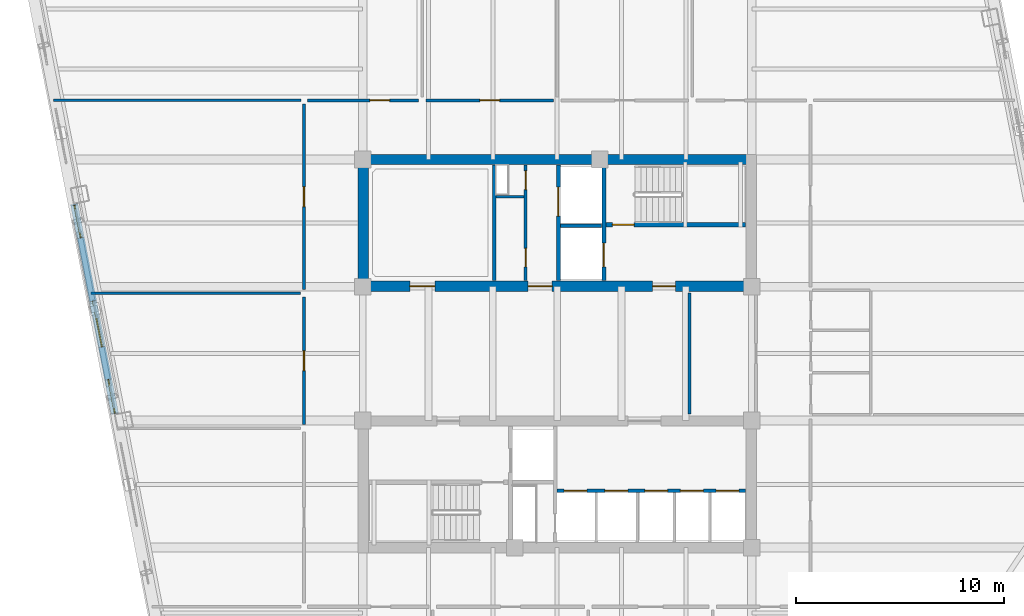
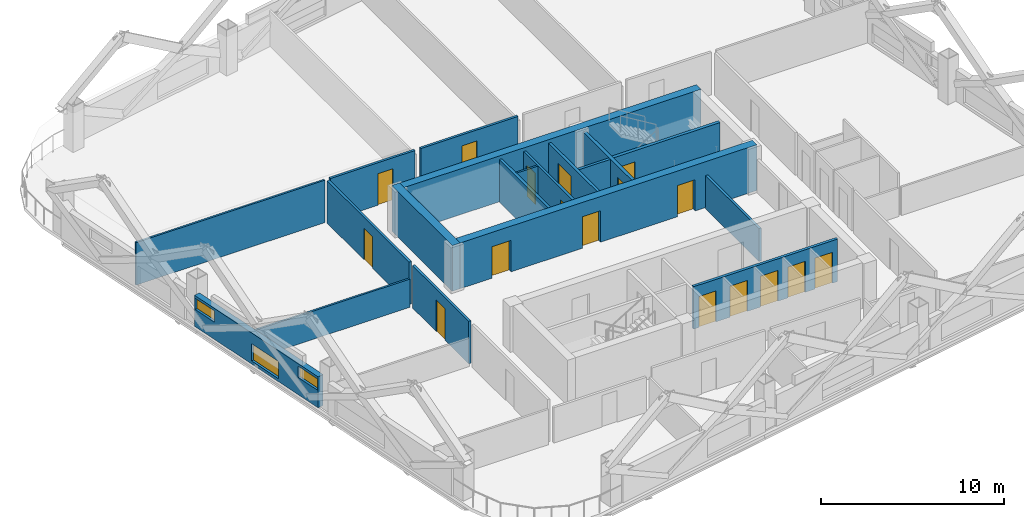
# One storey, part 5 of 10: 19 walls, 17 doors, 3 windows, 20 openings.
"""IFC4 building model written with IfcOpenShell, lengths in metres."""

from ifc_helpers import new_model, si_unit, direction, frame, frame_2d, origin, place, context, subcontext, project, spatial, rectangle, extrude, material, layer, layer_set, type_object, element, fill, save


model = new_model("IFC4")

# Units and contexts
model_context = context("Model", 3, precision=1e-05, world=origin(), true_north=direction((0.0, 1.0)))
body_context = subcontext(model_context, "Body", "Model", "MODEL_VIEW")
ifc_project = project(units=[si_unit("LENGTHUNIT", "METRE"), si_unit("AREAUNIT", "SQUARE_METRE"), si_unit("VOLUMEUNIT", "CUBIC_METRE"), si_unit("PLANEANGLEUNIT", "RADIAN"), si_unit("MASSUNIT", "GRAM", prefix="KILO")], contexts=[model_context])

# Site, building, storey
site_placement = place(None, origin())
site = spatial("IfcSite", under=ifc_project, at=site_placement, CompositionType="ELEMENT")
building_placement = place(site_placement, origin())
building = spatial("IfcBuilding", under=site, at=building_placement, Name="Qhalaya Broadcast Tower", CompositionType="ELEMENT")
storey_placement = place(building_placement, frame((0.0, 0.0, 131.10009765625)))
storey = spatial("IfcBuildingStorey", under=building, at=storey_placement, Name="L38", CompositionType="ELEMENT", Elevation=131.10009765625)

# Wall, openings, doors
ifc_material_1 = material(Name="Gypsum Acoustic Partition")
ifc_layer_1 = layer(ifc_material_1, 0.14990234375, Name="Gypsum Acoustic Partition")
ifc_layer_set_1 = layer_set([ifc_layer_1], Name="Gypsum Acoustic Partition")
wall_type_1 = type_object("IfcWallType", Name="Corridor & Tenancy Acoustic Partition 150", PredefinedType="PARTITIONING", material=ifc_layer_set_1)
wall_1_placement = place(storey_placement, frame((-1.52001953125, 4.1201171875, 0.0), z_axis=(0.0, 0.0, 1.0), x_axis=(0.0, 1.0, 0.0)))
wall_1 = element("IfcWall", 1, at=wall_1_placement, inside=storey, type_object=wall_type_1, Name="L38 Partition Wall NCW-SVL", PredefinedType="PARTITIONING", context=body_context, shape_type="SweptSolid", body=[
    extrude(rectangle(XDim=5.559814453125, YDim=0.14990234375, at=frame_2d((2.77978515625, 0.0))), origin(), (0.0, 0.0, 1.0), 2.829833984375),
])
opening_1_placement = place(wall_1_placement, frame((4.3798828125, 0.0, 0.0)))
opening_1 = element("IfcOpeningElement", 2, at=opening_1_placement, cuts=wall_1, Name="Opening D06", PredefinedType="OPENING", context=body_context, shape_type="SweptSolid", body=[
    extrude(rectangle(XDim=0.89990234375, YDim=2.050048828125, at=frame_2d((0.449951171875, 1.02490234375))), frame((0.0, 0.0869140625, 0.0), z_axis=(0.0, -1.0, 0.0), x_axis=(1.0, 0.0, 0.0)), (0.0, 0.0, 1.0), 0.173828125),
])
opening_2_placement = place(wall_1_placement, frame((0.64990234375, 0.0, 0.0)))
opening_2 = element("IfcOpeningElement", 3, at=opening_2_placement, cuts=wall_1, Name="Opening D06", PredefinedType="OPENING", context=body_context, shape_type="SweptSolid", body=[
    extrude(rectangle(XDim=0.89990234375, YDim=2.050048828125, at=frame_2d((0.449951171875, 1.02490234375))), frame((0.0, 0.0869140625, 0.0), z_axis=(0.0, -1.0, 0.0), x_axis=(1.0, 0.0, 0.0)), (0.0, 0.0, 1.0), 0.173828125),
])
ifc_material_2 = material(Name="Fire-Rated Steel Door", Category="steel")
door_type_1 = type_object("IfcDoorType", Name="Riser & Electrical Shaft Access Door D06", OperationType="NOTDEFINED", PredefinedType="DOOR", material=ifc_material_2)
door_1_placement = place(opening_1_placement, origin())
door_1 = element("IfcDoor", 4, at=door_1_placement, inside=storey, type_object=door_type_1, Name="L38 Riser Shaft Access Door D-NRSR", OperationType="SINGLE_SWING_RIGHT", OverallHeight=2.050048828125, OverallWidth=0.89990234375, PredefinedType="DOOR", context=body_context, shape_type="SweptSolid", body=[
    extrude(rectangle(XDim=0.89990234375, YDim=2.050048828125, at=frame_2d((0.449951171875, 1.02490234375))), frame((0.0, 0.02490234375, 0.0), z_axis=(0.0, -1.0, 0.0), x_axis=(1.0, 0.0, 0.0)), (0.0, 0.0, 1.0), 0.050048828125),
])
fill(opening_1, door_1)
door_2_placement = place(opening_2_placement, origin())
door_2 = element("IfcDoor", 5, at=door_2_placement, inside=storey, type_object=door_type_1, Name="L38 Door D-NCST", OperationType="SINGLE_SWING_LEFT", OverallHeight=2.050048828125, OverallWidth=0.89990234375, PredefinedType="DOOR", context=body_context, shape_type="SweptSolid", body=[
    extrude(rectangle(XDim=0.89990234375, YDim=2.050048828125, at=frame_2d((0.449951171875, 1.02490234375))), frame((0.0, 0.02490234375, 0.0), z_axis=(0.0, -1.0, 0.0), x_axis=(1.0, 0.0, 0.0)), (0.0, 0.0, 1.0), 0.050048828125),
])
fill(opening_2, door_2)

# Wall
wall_2_placement = place(storey_placement, frame((6.3798828125, -2.320068359375, 0.0), z_axis=(0.0, 0.0, 1.0), x_axis=(0.0, 1.0, 0.0)))
element("IfcWall", 6, at=wall_2_placement, inside=storey, type_object=wall_type_1, Name="L38 Partition Wall W-ICHW", PredefinedType="PARTITIONING", context=body_context, shape_type="SweptSolid", body=[
    extrude(rectangle(XDim=5.840087890625, YDim=0.14990234375, at=frame_2d((2.919921875, 0.0))), origin(), (0.0, 0.0, 1.0), 2.197998046875),
])

# Wall, opening, door
wall_3_placement = place(storey_placement, frame((-12.02001953125, 12.800048828125, 0.0), z_axis=(0.0, 0.0, 1.0), x_axis=(1.0, 0.0, 0.0)))
wall_3 = element("IfcWall", 7, at=wall_3_placement, inside=storey, type_object=wall_type_1, Name="L38 Partition Wall W-COR-01", PredefinedType="PARTITIONING", context=body_context, shape_type="SweptSolid", body=[
    extrude(rectangle(XDim=5.340087890625, YDim=0.14990234375, at=frame_2d((2.669921875, 0.0))), origin(), (0.0, 0.0, 1.0), 2.829833984375),
])
opening_3_placement = place(wall_3_placement, frame((2.9951171875, 0.0, 0.0)))
opening_3 = element("IfcOpeningElement", 8, at=opening_3_placement, cuts=wall_3, Name="Opening D10", PredefinedType="OPENING", context=body_context, shape_type="SweptSolid", body=[
    extrude(rectangle(XDim=0.949951171875, YDim=2.10009765625, at=frame_2d((0.47509765625, 1.050048828125))), frame((0.0, 0.0869140625, 0.0), z_axis=(0.0, -1.0, 0.0), x_axis=(1.0, 0.0, 0.0)), (0.0, 0.0, 1.0), 0.173828125),
])
ifc_material_3 = material(Name="Timber Veneer Acoustic Door", Category="wood")
door_type_2 = type_object("IfcDoorType", Name="Cellular Office & Edit Booth Door D10", OperationType="NOTDEFINED", PredefinedType="DOOR", material=ifc_material_3)
door_3_placement = place(opening_3_placement, origin())
door_3 = element("IfcDoor", 9, at=door_3_placement, inside=storey, type_object=door_type_2, Name="L38 Door D-RM01", OperationType="SINGLE_SWING_RIGHT", OverallHeight=2.10009765625, OverallWidth=0.949951171875, PredefinedType="DOOR", context=body_context, shape_type="SweptSolid", body=[
    extrude(rectangle(XDim=0.949951171875, YDim=2.10009765625, at=frame_2d((0.47509765625, 1.050048828125))), frame((0.0, 0.02490234375, 0.0), z_axis=(0.0, -1.0, 0.0), x_axis=(1.0, 0.0, 0.0)), (0.0, 0.0, 1.0), 0.050048828125),
])
fill(opening_3, door_3)

wall_4_placement = place(storey_placement, frame((-6.320068359375, 12.800048828125, 0.0), z_axis=(0.0, 0.0, 1.0), x_axis=(1.0, 0.0, 0.0)))
wall_4 = element("IfcWall", 10, at=wall_4_placement, inside=storey, type_object=wall_type_1, Name="L38 Partition Wall W-COR-02", PredefinedType="PARTITIONING", context=body_context, shape_type="SweptSolid", body=[
    extrude(rectangle(XDim=6.14013671875, YDim=0.14990234375, at=frame_2d((3.070068359375, 0.0))), origin(), (0.0, 0.0, 1.0), 2.829833984375),
])
opening_4_placement = place(wall_4_placement, frame((2.594970703125, 0.0, 0.0)))
opening_4 = element("IfcOpeningElement", 11, at=opening_4_placement, cuts=wall_4, Name="Opening D10", PredefinedType="OPENING", context=body_context, shape_type="SweptSolid", body=[
    extrude(rectangle(XDim=0.949951171875, YDim=2.10009765625, at=frame_2d((0.47509765625, 1.050048828125))), frame((0.0, 0.0869140625, 0.0), z_axis=(0.0, -1.0, 0.0), x_axis=(1.0, 0.0, 0.0)), (0.0, 0.0, 1.0), 0.173828125),
])
door_4_placement = place(opening_4_placement, origin())
door_4 = element("IfcDoor", 12, at=door_4_placement, inside=storey, type_object=door_type_2, Name="L38 Door D-RM02", OperationType="SINGLE_SWING_LEFT", OverallHeight=2.10009765625, OverallWidth=0.949951171875, PredefinedType="DOOR", context=body_context, shape_type="SweptSolid", body=[
    extrude(rectangle(XDim=0.949951171875, YDim=2.10009765625, at=frame_2d((0.47509765625, 1.050048828125))), frame((0.0, 0.02490234375, 0.0), z_axis=(0.0, -1.0, 0.0), x_axis=(1.0, 0.0, 0.0)), (0.0, 0.0, 1.0), 0.050048828125),
])
fill(opening_4, door_4)

wall_5_placement = place(storey_placement, frame((-12.199951171875, -2.820068359375, 0.0), z_axis=(0.0, 0.0, 1.0), x_axis=(0.0, 1.0, 0.0)))
wall_5 = element("IfcWall", 13, at=wall_5_placement, inside=storey, type_object=wall_type_1, Name="L38 Partition Wall W-COR-10", PredefinedType="PARTITIONING", context=body_context, shape_type="SweptSolid", body=[
    extrude(rectangle(XDim=6.14013671875, YDim=0.14990234375, at=frame_2d((3.070068359375, 0.0))), origin(), (0.0, 0.0, 1.0), 2.829833984375),
])
opening_5_placement = place(wall_5_placement, frame((2.594970703125, 0.0, 0.0)))
opening_5 = element("IfcOpeningElement", 14, at=opening_5_placement, cuts=wall_5, Name="Opening D10", PredefinedType="OPENING", context=body_context, shape_type="SweptSolid", body=[
    extrude(rectangle(XDim=0.949951171875, YDim=2.10009765625, at=frame_2d((0.47509765625, 1.050048828125))), frame((0.0, 0.0869140625, 0.0), z_axis=(0.0, -1.0, 0.0), x_axis=(1.0, 0.0, 0.0)), (0.0, 0.0, 1.0), 0.173828125),
])
door_5_placement = place(opening_5_placement, origin())
door_5 = element("IfcDoor", 15, at=door_5_placement, inside=storey, type_object=door_type_2, Name="L38 Door D-RM10", OperationType="SINGLE_SWING_LEFT", OverallHeight=2.10009765625, OverallWidth=0.949951171875, PredefinedType="DOOR", context=body_context, shape_type="SweptSolid", body=[
    extrude(rectangle(XDim=0.949951171875, YDim=2.10009765625, at=frame_2d((0.47509765625, 1.050048828125))), frame((0.0, 0.02490234375, 0.0), z_axis=(0.0, -1.0, 0.0), x_axis=(1.0, 0.0, 0.0)), (0.0, 0.0, 1.0), 0.050048828125),
])
fill(opening_5, door_5)

wall_6_placement = place(storey_placement, frame((-12.199951171875, 3.679931640625, 0.0), z_axis=(0.0, 0.0, 1.0), x_axis=(0.0, 1.0, 0.0)))
wall_6 = element("IfcWall", 16, at=wall_6_placement, inside=storey, type_object=wall_type_1, Name="L38 Partition Wall W-COR-11", PredefinedType="PARTITIONING", context=body_context, shape_type="SweptSolid", body=[
    extrude(rectangle(XDim=8.940185546875, YDim=0.14990234375, at=frame_2d((4.47021484375, 0.0))), origin(), (0.0, 0.0, 1.0), 2.829833984375),
])
opening_6_placement = place(wall_6_placement, frame((3.9951171875, 0.0, 0.0)))
opening_6 = element("IfcOpeningElement", 17, at=opening_6_placement, cuts=wall_6, Name="Opening D10", PredefinedType="OPENING", context=body_context, shape_type="SweptSolid", body=[
    extrude(rectangle(XDim=0.949951171875, YDim=2.10009765625, at=frame_2d((0.47509765625, 1.050048828125))), frame((0.0, 0.0869140625, 0.0), z_axis=(0.0, -1.0, 0.0), x_axis=(1.0, 0.0, 0.0)), (0.0, 0.0, 1.0), 0.173828125),
])
door_6_placement = place(opening_6_placement, origin())
door_6 = element("IfcDoor", 18, at=door_6_placement, inside=storey, type_object=door_type_2, Name="L38 Door D-RM11", OperationType="SINGLE_SWING_RIGHT", OverallHeight=2.10009765625, OverallWidth=0.949951171875, PredefinedType="DOOR", context=body_context, shape_type="SweptSolid", body=[
    extrude(rectangle(XDim=0.949951171875, YDim=2.10009765625, at=frame_2d((0.47509765625, 1.050048828125))), frame((0.0, 0.02490234375, 0.0), z_axis=(0.0, -1.0, 0.0), x_axis=(1.0, 0.0, 0.0)), (0.0, 0.0, 1.0), 0.050048828125),
])
fill(opening_6, door_6)

# Wall, openings, windows
ifc_material_4 = material(Name="Precast Concrete C40/50", Category="concrete")
ifc_layer_2 = layer(ifc_material_4, 0.360107421875, Name="Precast Concrete C40/50")
ifc_layer_set_2 = layer_set([ifc_layer_2], Name="Precast Concrete C40/50")
wall_type_2 = type_object("IfcWallType", Name="Insulated Precast Terracotta Exterior Wall 360", PredefinedType="SOLIDWALL", material=ifc_layer_set_2)
wall_7_placement = place(storey_placement, frame((-21.31005859375, -2.30859375, 0.0), z_axis=(0.0, 0.0, 1.0), x_axis=(-0.190811924826, 0.981626614016, 0.0)))
wall_7 = element("IfcWall", 19, at=wall_7_placement, inside=storey, type_object=wall_type_2, Name="L38 Exoskeleton Diagrid Infill Wall W2", PredefinedType="SOLIDWALL", context=body_context, shape_type="SweptSolid", body=[
    extrude(rectangle(XDim=10.2998046875, YDim=0.360107421875, at=frame_2d((5.14990234375, 0.0))), origin(), (0.0, 0.0, 1.0), 2.06689453125),
])
opening_7_placement = place(wall_7_placement, frame((0.0380859375, 0.0, 1.14990234375)))
opening_7 = element("IfcOpeningElement", 20, at=opening_7_placement, cuts=wall_7, Name="Opening W11", PredefinedType="OPENING", context=body_context, shape_type="SweptSolid", body=[
    extrude(rectangle(XDim=1.64990234375, YDim=0.75, at=frame_2d((0.824951171875, 0.375))), frame((0.0, 0.192138671875, 0.0), z_axis=(0.0, -1.0, 0.0), x_axis=(1.0, 0.0, 0.0)), (0.0, 0.0, 1.0), 0.384033203125),
])
opening_8_placement = place(wall_7_placement, frame((3.2880859375, 0.0, 0.199951171875)))
opening_8 = element("IfcOpeningElement", 21, at=opening_8_placement, cuts=wall_7, Name="Opening W11", PredefinedType="OPENING", context=body_context, shape_type="SweptSolid", body=[
    extrude(rectangle(XDim=2.25, YDim=1.14990234375, at=frame_2d((1.125, 0.574951171875))), frame((0.0, 0.192138671875, 0.0), z_axis=(0.0, -1.0, 0.0), x_axis=(1.0, 0.0, 0.0)), (0.0, 0.0, 1.0), 0.384033203125),
])
opening_9_placement = place(wall_7_placement, frame((8.637939453125, 0.0, 1.14990234375)))
opening_9 = element("IfcOpeningElement", 22, at=opening_9_placement, cuts=wall_7, Name="Opening W11", PredefinedType="OPENING", context=body_context, shape_type="SweptSolid", body=[
    extrude(rectangle(XDim=1.60009765625, YDim=0.75, at=frame_2d((0.800048828125, 0.375))), frame((0.0, 0.192138671875, 0.0), z_axis=(0.0, -1.0, 0.0), x_axis=(1.0, 0.0, 0.0)), (0.0, 0.0, 1.0), 0.384033203125),
])
ifc_material_5 = material(Name="Solar-Control Low-E Triple Glazing", Category="glass")
window_type = type_object("IfcWindowType", Name="Odd-Block Diagrid Infill Window W11", PartitioningType="SINGLE_PANEL", PredefinedType="WINDOW", material=ifc_material_5)
window_1_placement = place(opening_7_placement, origin())
window_1 = element("IfcWindow", 23, at=window_1_placement, inside=storey, type_object=window_type, Name="L38 Diagrid Infill Window W11-W2", OverallHeight=0.75, OverallWidth=1.64990234375, PartitioningType="SINGLE_PANEL", PredefinedType="WINDOW", context=body_context, shape_type="SweptSolid", body=[
    extrude(rectangle(XDim=1.64990234375, YDim=0.75, at=frame_2d((0.824951171875, 0.375))), frame((0.0, 0.030029296875, 0.0), z_axis=(0.0, -1.0, 0.0), x_axis=(1.0, 0.0, 0.0)), (0.0, 0.0, 1.0), 0.06005859375),
])
fill(opening_7, window_1)
window_2_placement = place(opening_8_placement, origin())
window_2 = element("IfcWindow", 24, at=window_2_placement, inside=storey, type_object=window_type, Name="L38 Diagrid Infill Window W11-W3", OverallHeight=1.14990234375, OverallWidth=2.25, PartitioningType="SINGLE_PANEL", PredefinedType="WINDOW", context=body_context, shape_type="SweptSolid", body=[
    extrude(rectangle(XDim=2.25, YDim=1.14990234375, at=frame_2d((1.125, 0.574951171875))), frame((0.0, 0.030029296875, 0.0), z_axis=(0.0, -1.0, 0.0), x_axis=(1.0, 0.0, 0.0)), (0.0, 0.0, 1.0), 0.06005859375),
])
fill(opening_8, window_2)
window_3_placement = place(opening_9_placement, origin())
window_3 = element("IfcWindow", 25, at=window_3_placement, inside=storey, type_object=window_type, Name="L38 Diagrid Infill Window W11-W4", OverallHeight=0.75, OverallWidth=1.60009765625, PartitioningType="SINGLE_PANEL", PredefinedType="WINDOW", context=body_context, shape_type="SweptSolid", body=[
    extrude(rectangle(XDim=1.60009765625, YDim=0.75, at=frame_2d((0.800048828125, 0.375))), frame((0.0, 0.030029296875, 0.0), z_axis=(0.0, -1.0, 0.0), x_axis=(1.0, 0.0, 0.0)), (0.0, 0.0, 1.0), 0.06005859375),
])
fill(opening_9, window_3)

# Wall, opening, door
ifc_material_6 = material(Name="Concrete C50/60", Category="concrete")
ifc_layer_3 = layer(ifc_material_6, 0.199951171875, Name="Concrete C50/60")
ifc_layer_set_3 = layer_set([ifc_layer_3], Name="Concrete C50/60")
wall_type_3 = type_object("IfcWallType", Name="Load-Bearing Stair Shaft Wall 200", PredefinedType="SHEAR", material=ifc_layer_set_3)
wall_8_placement = place(storey_placement, frame((2.360107421875, 6.804931640625, 0.0), z_axis=(0.0, 0.0, 1.0), x_axis=(1.0, 0.0, 0.0)))
wall_8 = element("IfcWall", 26, at=wall_8_placement, inside=storey, type_object=wall_type_3, Name="L38 Stair Core Shear Wall NCW-ST1", PredefinedType="SHEAR", context=body_context, shape_type="SweptSolid", body=[
    extrude(rectangle(XDim=6.719970703125, YDim=0.199951171875, at=frame_2d((3.35986328125, 0.0))), origin(), (0.0, 0.0, 1.0), 2.829833984375),
])
opening_10_placement = place(wall_8_placement, frame((0.300048828125, 0.0, 0.0)))
opening_10 = element("IfcOpeningElement", 27, at=opening_10_placement, cuts=wall_8, Name="Opening D03", PredefinedType="OPENING", context=body_context, shape_type="SweptSolid", body=[
    extrude(rectangle(XDim=1.050048828125, YDim=2.080078125, at=frame_2d((0.52490234375, 1.0400390625))), frame((0.0, 0.112060546875, 0.0), z_axis=(0.0, -1.0, 0.0), x_axis=(1.0, 0.0, 0.0)), (0.0, 0.0, 1.0), 0.223876953125),
])
door_type_3 = type_object("IfcDoorType", Name="Core Stair Protected Fire Door D03", OperationType="NOTDEFINED", PredefinedType="DOOR", material=ifc_material_2)
door_7_placement = place(opening_10_placement, origin())
door_7 = element("IfcDoor", 28, at=door_7_placement, inside=storey, type_object=door_type_3, Name="L38 Door D-NST1", OperationType="SINGLE_SWING_LEFT", OverallHeight=2.080078125, OverallWidth=1.050048828125, PredefinedType="DOOR", context=body_context, shape_type="SweptSolid", body=[
    extrude(rectangle(XDim=1.050048828125, YDim=2.080078125, at=frame_2d((0.52490234375, 1.0400390625))), frame((0.0, 0.02490234375, 0.0), z_axis=(0.0, -1.0, 0.0), x_axis=(1.0, 0.0, 0.0)), (0.0, 0.0, 1.0), 0.050048828125),
])
fill(opening_10, door_7)

wall_9_placement = place(storey_placement, frame((2.25, 4.1201171875, 0.0), z_axis=(0.0, 0.0, 1.0), x_axis=(0.0, 1.0, 0.0)))
wall_9 = element("IfcWall", 29, at=wall_9_placement, inside=storey, type_object=wall_type_3, Name="L38 Stair Core Shear Wall NCW-FF", PredefinedType="SHEAR", context=body_context, shape_type="SweptSolid", body=[
    extrude(rectangle(XDim=5.559814453125, YDim=0.199951171875, at=frame_2d((2.77978515625, 0.0))), origin(), (0.0, 0.0, 1.0), 2.829833984375),
])
opening_11_placement = place(wall_9_placement, frame((0.64990234375, 0.0, 0.0)))
opening_11 = element("IfcOpeningElement", 30, at=opening_11_placement, cuts=wall_9, Name="Opening LD2", PredefinedType="OPENING", context=body_context, shape_type="SweptSolid", body=[
    extrude(rectangle(XDim=1.14990234375, YDim=2.080078125, at=frame_2d((0.574951171875, 1.0400390625))), frame((0.0, 0.112060546875, 0.0), z_axis=(0.0, -1.0, 0.0), x_axis=(1.0, 0.0, 0.0)), (0.0, 0.0, 1.0), 0.223876953125),
])
ifc_material_7 = material(Name="Brushed Stainless Steel Lift Door", Category="steel")
door_type_4 = type_object("IfcDoorType", Name="Firefighting Lift Sliding Landing Door LD2", OperationType="DOUBLE_DOOR_SLIDING", PredefinedType="DOOR", material=ifc_material_7)
door_8_placement = place(opening_11_placement, origin())
door_8 = element("IfcDoor", 31, at=door_8_placement, inside=storey, type_object=door_type_4, Name="L38 Door LD-FF1", OperationType="DOUBLE_DOOR_SLIDING", OverallHeight=2.080078125, OverallWidth=1.14990234375, PredefinedType="DOOR", context=body_context, shape_type="SweptSolid", body=[
    extrude(rectangle(XDim=1.14990234375, YDim=2.080078125, at=frame_2d((0.574951171875, 1.0400390625))), frame((0.0, 0.02490234375, 0.0), z_axis=(0.0, -1.0, 0.0), x_axis=(1.0, 0.0, 0.0)), (0.0, 0.0, 1.0), 0.050048828125),
])
fill(opening_11, door_8)

# Wall
ifc_layer_4 = layer(ifc_material_6, 0.5, Name="Concrete C50/60")
ifc_layer_set_4 = layer_set([ifc_layer_4], Name="Concrete C50/60")
wall_type_4 = type_object("IfcWallType", Name="Mid Split-Core Shear Wall 500", PredefinedType="SHEAR", material=ifc_layer_set_4)
wall_10_placement = place(storey_placement, frame((-9.60009765625, 9.949951171875, 0.0), z_axis=(0.0, 0.0, 1.0), x_axis=(1.0, 0.0, 0.0)))
element("IfcWall", 32, at=wall_10_placement, inside=storey, type_object=wall_type_4, Name="L38 Split-Core Shear Wall CW-NN", PredefinedType="SHEAR", context=body_context, shape_type="SweptSolid", body=[
    extrude(rectangle(XDim=19.2001953125, YDim=0.5, at=frame_2d((9.60009765625, 0.0))), origin(), (0.0, 0.0, 1.0), 3.0498046875),
])

# Wall, openings, doors
wall_11_placement = place(storey_placement, frame((-9.60009765625, 3.85009765625, 0.0), z_axis=(0.0, 0.0, 1.0), x_axis=(1.0, 0.0, 0.0)))
wall_11 = element("IfcWall", 33, at=wall_11_placement, inside=storey, type_object=wall_type_4, Name="L38 Split-Core Shear Wall CW-NS", PredefinedType="SHEAR", context=body_context, shape_type="SweptSolid", body=[
    extrude(rectangle(XDim=19.2001953125, YDim=0.5, at=frame_2d((9.60009765625, 0.0))), origin(), (0.0, 0.0, 1.0), 3.0498046875),
])
opening_12_placement = place(wall_11_placement, frame((14.199951171875, 0.0, 0.0)))
opening_12 = element("IfcOpeningElement", 34, at=opening_12_placement, cuts=wall_11, Name="Opening D04", PredefinedType="OPENING", context=body_context, shape_type="SweptSolid", body=[
    extrude(rectangle(XDim=1.10009765625, YDim=2.080078125, at=frame_2d((0.550048828125, 1.0400390625))), frame((0.0, 0.261962890625, 0.0), z_axis=(0.0, -1.0, 0.0), x_axis=(1.0, 0.0, 0.0)), (0.0, 0.0, 1.0), 0.52392578125),
])
opening_13_placement = place(wall_11_placement, frame((8.199951171875, 0.0, 0.0)))
opening_13 = element("IfcOpeningElement", 35, at=opening_13_placement, cuts=wall_11, Name="Opening D05", PredefinedType="OPENING", context=body_context, shape_type="SweptSolid", body=[
    extrude(rectangle(XDim=1.14990234375, YDim=2.10009765625, at=frame_2d((0.574951171875, 1.050048828125))), frame((0.0, 0.261962890625, 0.0), z_axis=(0.0, -1.0, 0.0), x_axis=(1.0, 0.0, 0.0)), (0.0, 0.0, 1.0), 0.52392578125),
])
opening_14_placement = place(wall_11_placement, frame((2.5, 0.0, 0.0)))
opening_14 = element("IfcOpeningElement", 36, at=opening_14_placement, cuts=wall_11, Name="Opening D11", PredefinedType="OPENING", context=body_context, shape_type="SweptSolid", body=[
    extrude(rectangle(XDim=1.199951171875, YDim=2.10009765625, at=frame_2d((0.60009765625, 1.050048828125))), frame((0.0, 0.261962890625, 0.0), z_axis=(0.0, -1.0, 0.0), x_axis=(1.0, 0.0, 0.0)), (0.0, 0.0, 1.0), 0.52392578125),
])
ifc_material_8 = material(Name="Anodised Aluminium Glazed Door", Category="aluminium")
door_type_5 = type_object("IfcDoorType", Name="Conference, Boardroom & Studio Control Door D11", OperationType="NOTDEFINED", PredefinedType="DOOR", material=ifc_material_8)
door_9_placement = place(opening_14_placement, origin())
door_9 = element("IfcDoor", 37, at=door_9_placement, inside=storey, type_object=door_type_5, Name="L38 Door D-NREC1", OperationType="SINGLE_SWING_LEFT", OverallHeight=2.10009765625, OverallWidth=1.199951171875, PredefinedType="DOOR", context=body_context, shape_type="SweptSolid", body=[
    extrude(rectangle(XDim=1.199951171875, YDim=2.10009765625, at=frame_2d((0.60009765625, 1.050048828125))), frame((0.0, 0.02490234375, 0.0), z_axis=(0.0, -1.0, 0.0), x_axis=(1.0, 0.0, 0.0)), (0.0, 0.0, 1.0), 0.050048828125),
])
fill(opening_14, door_9)
door_type_6 = type_object("IfcDoorType", Name="Firefighting Lobby Rated Door D04", OperationType="NOTDEFINED", PredefinedType="DOOR", material=ifc_material_2)
door_10_placement = place(opening_12_placement, origin())
door_10 = element("IfcDoor", 38, at=door_10_placement, inside=storey, type_object=door_type_6, Name="L38 Door D-NFF", OperationType="SINGLE_SWING_RIGHT", OverallHeight=2.080078125, OverallWidth=1.10009765625, PredefinedType="DOOR", context=body_context, shape_type="SweptSolid", body=[
    extrude(rectangle(XDim=1.10009765625, YDim=2.080078125, at=frame_2d((0.550048828125, 1.0400390625))), frame((0.0, 0.02490234375, 0.0), z_axis=(0.0, -1.0, 0.0), x_axis=(1.0, 0.0, 0.0)), (0.0, 0.0, 1.0), 0.050048828125),
])
fill(opening_12, door_10)
door_type_7 = type_object("IfcDoorType", Name="Refuge & Plant Room Fire Door D05", OperationType="NOTDEFINED", PredefinedType="DOOR", material=ifc_material_2)
door_11_placement = place(opening_13_placement, origin())
door_11 = element("IfcDoor", 39, at=door_11_placement, inside=storey, type_object=door_type_7, Name="L38 Door D-NSVL", OperationType="SINGLE_SWING_LEFT", OverallHeight=2.10009765625, OverallWidth=1.14990234375, PredefinedType="DOOR", context=body_context, shape_type="SweptSolid", body=[
    extrude(rectangle(XDim=1.14990234375, YDim=2.10009765625, at=frame_2d((0.574951171875, 1.050048828125))), frame((0.0, 0.02490234375, 0.0), z_axis=(0.0, -1.0, 0.0), x_axis=(1.0, 0.0, 0.0)), (0.0, 0.0, 1.0), 0.050048828125),
])
fill(opening_13, door_11)

# Walls
wall_12_placement = place(storey_placement, frame((-9.35009765625, 3.60009765625, 0.0), z_axis=(0.0, 0.0, 1.0), x_axis=(0.0, 1.0, 0.0)))
element("IfcWall", 40, at=wall_12_placement, inside=storey, type_object=wall_type_4, Name="L38 Split-Core Shear Wall CW-NW", PredefinedType="SHEAR", context=body_context, shape_type="SweptSolid", body=[
    extrude(rectangle(XDim=6.599853515625, YDim=0.5, at=frame_2d((3.2998046875, 0.0))), origin(), (0.0, 0.0, 1.0), 3.0498046875),
])
ifc_layer_5 = layer(ifc_material_1, 0.1201171875, Name="Gypsum Acoustic Partition")
ifc_layer_set_5 = layer_set([ifc_layer_5], Name="Gypsum Acoustic Partition")
wall_type_5 = type_object("IfcWallType", Name="Office, Booth & Sanitary Partition 120", PredefinedType="PARTITIONING", material=ifc_layer_set_5)
wall_13_placement = place(storey_placement, frame((-2.9599609375, 8.14990234375, 0.0), z_axis=(0.0, 0.0, 1.0), x_axis=(1.0, 0.0, 0.0)))
element("IfcWall", 41, at=wall_13_placement, inside=storey, type_object=wall_type_5, Name="L38 Partition Wall NCW-VA", PredefinedType="PARTITIONING", context=body_context, shape_type="SweptSolid", body=[
    extrude(rectangle(XDim=1.35986328125, YDim=0.1201171875, at=frame_2d((0.679931640625, 0.0))), origin(), (0.0, 0.0, 1.0), 2.829833984375),
])
wall_14_placement = place(storey_placement, frame((-24.267333984375, 12.800048828125, 0.0), z_axis=(0.0, 0.0, 1.0), x_axis=(1.0, 0.0, 0.0)))
element("IfcWall", 42, at=wall_14_placement, inside=storey, type_object=wall_type_5, Name="L38 Partition Wall W-BNDW1", PredefinedType="PARTITIONING", context=body_context, shape_type="SweptSolid", body=[
    extrude(rectangle(XDim=11.92724609375, YDim=0.1201171875, at=frame_2d((5.963623046875, 0.0))), origin(), (0.0, 0.0, 1.0), 2.829833984375),
])
wall_15_placement = place(storey_placement, frame((-22.45947265625, 3.5, 0.0), z_axis=(0.0, 0.0, 1.0), x_axis=(1.0, 0.0, 0.0)))
element("IfcWall", 43, at=wall_15_placement, inside=storey, type_object=wall_type_5, Name="L38 Partition Wall W-DIVW2", PredefinedType="PARTITIONING", context=body_context, shape_type="SweptSolid", body=[
    extrude(rectangle(XDim=10.099365234375, YDim=0.1201171875, at=frame_2d((5.0498046875, 0.0))), origin(), (0.0, 0.0, 1.0), 1.8828125),
])

# Wall, opening, door
ifc_layer_6 = layer(ifc_material_1, 0.175048828125, Name="Gypsum Acoustic Partition")
ifc_layer_set_6 = layer_set([ifc_layer_6], Name="Gypsum Acoustic Partition")
wall_type_6 = type_object("IfcWallType", Name="Shaft & Riser Fire Partition 175", PredefinedType="PARTITIONING", material=ifc_layer_set_6)
wall_16_placement = place(storey_placement, frame((0.06005859375, 4.1201171875, 0.0), z_axis=(0.0, 0.0, 1.0), x_axis=(0.0, 1.0, 0.0)))
wall_16 = element("IfcWall", 44, at=wall_16_placement, inside=storey, type_object=wall_type_6, Name="L38 Partition Wall NCW-SVW", PredefinedType="PARTITIONING", context=body_context, shape_type="SweptSolid", body=[
    extrude(rectangle(XDim=5.559814453125, YDim=0.175048828125, at=frame_2d((2.77978515625, 0.0))), origin(), (0.0, 0.0, 1.0), 2.829833984375),
])
opening_15_placement = place(wall_16_placement, frame((3.10009765625, 0.0, 0.0)))
opening_15 = element("IfcOpeningElement", 45, at=opening_15_placement, cuts=wall_16, Name="Opening LD3", PredefinedType="OPENING", context=body_context, shape_type="SweptSolid", body=[
    extrude(rectangle(XDim=1.39990234375, YDim=2.1201171875, at=frame_2d((0.699951171875, 1.06005859375))), frame((0.0, 0.099609375, 0.0), z_axis=(0.0, -1.0, 0.0), x_axis=(1.0, 0.0, 0.0)), (0.0, 0.0, 1.0), 0.198974609375),
])
door_type_8 = type_object("IfcDoorType", Name="Service Lift Wide Sliding Landing Door LD3", OperationType="DOUBLE_DOOR_SLIDING", PredefinedType="DOOR", material=ifc_material_7)
door_12_placement = place(opening_15_placement, origin())
door_12 = element("IfcDoor", 46, at=door_12_placement, inside=storey, type_object=door_type_8, Name="L38 Door LD-SV1", OperationType="DOUBLE_DOOR_SLIDING", OverallHeight=2.1201171875, OverallWidth=1.39990234375, PredefinedType="DOOR", context=body_context, shape_type="SweptSolid", body=[
    extrude(rectangle(XDim=1.39990234375, YDim=2.1201171875, at=frame_2d((0.699951171875, 1.06005859375))), frame((0.0, 0.02490234375, 0.0), z_axis=(0.0, -1.0, 0.0), x_axis=(1.0, 0.0, 0.0)), (0.0, 0.0, 1.0), 0.050048828125),
])
fill(opening_15, door_12)

# Walls
wall_17_placement = place(storey_placement, frame((0.159912109375, 6.75, 0.0), z_axis=(0.0, 0.0, 1.0), x_axis=(1.0, 0.0, 0.0)))
element("IfcWall", 47, at=wall_17_placement, inside=storey, type_object=wall_type_6, Name="L38 Partition Wall NCW-SVM", PredefinedType="PARTITIONING", context=body_context, shape_type="SweptSolid", body=[
    extrude(rectangle(XDim=1.97998046875, YDim=0.175048828125, at=frame_2d((0.989990234375, 0.0))), origin(), (0.0, 0.0, 1.0), 2.829833984375),
])
wall_18_placement = place(storey_placement, frame((-3.0400390625, 4.1201171875, 0.0), z_axis=(0.0, 0.0, 1.0), x_axis=(0.0, 1.0, 0.0)))
element("IfcWall", 48, at=wall_18_placement, inside=storey, type_object=wall_type_6, Name="L38 Partition Wall NCW-VRW", PredefinedType="PARTITIONING", context=body_context, shape_type="SweptSolid", body=[
    extrude(rectangle(XDim=5.559814453125, YDim=0.175048828125, at=frame_2d((2.77978515625, 0.0))), origin(), (0.0, 0.0, 1.0), 2.829833984375),
])

# Wall, openings, doors
wall_19_placement = place(storey_placement, frame((0.0, -6.02001953125, 0.0), z_axis=(0.0, 0.0, 1.0), x_axis=(1.0, 0.0, 0.0)))
wall_19 = element("IfcWall", 49, at=wall_19_placement, inside=storey, type_object=wall_type_6, Name="L38 Partition Wall SCW-SLB", PredefinedType="PARTITIONING", context=body_context, shape_type="SweptSolid", body=[
    extrude(rectangle(XDim=9.080078125, YDim=0.175048828125, at=frame_2d((4.5400390625, 0.0))), origin(), (0.0, 0.0, 1.0), 2.829833984375),
])
opening_16_placement = place(wall_19_placement, frame((0.330078125, 0.0, 0.0)))
opening_16 = element("IfcOpeningElement", 50, at=opening_16_placement, cuts=wall_19, Name="Opening LD1", PredefinedType="OPENING", context=body_context, shape_type="SweptSolid", body=[
    extrude(rectangle(XDim=1.10009765625, YDim=2.06005859375, at=frame_2d((0.550048828125, 1.030029296875))), frame((0.0, 0.099609375, 0.0), z_axis=(0.0, -1.0, 0.0), x_axis=(1.0, 0.0, 0.0)), (0.0, 0.0, 1.0), 0.198974609375),
])
opening_17_placement = place(wall_19_placement, frame((2.300048828125, 0.0, 0.0)))
opening_17 = element("IfcOpeningElement", 51, at=opening_17_placement, cuts=wall_19, Name="Opening LD1", PredefinedType="OPENING", context=body_context, shape_type="SweptSolid", body=[
    extrude(rectangle(XDim=1.10009765625, YDim=2.06005859375, at=frame_2d((0.550048828125, 1.030029296875))), frame((0.0, 0.099609375, 0.0), z_axis=(0.0, -1.0, 0.0), x_axis=(1.0, 0.0, 0.0)), (0.0, 0.0, 1.0), 0.198974609375),
])
opening_18_placement = place(wall_19_placement, frame((4.219970703125, 0.0, 0.0)))
opening_18 = element("IfcOpeningElement", 52, at=opening_18_placement, cuts=wall_19, Name="Opening LD1", PredefinedType="OPENING", context=body_context, shape_type="SweptSolid", body=[
    extrude(rectangle(XDim=1.10009765625, YDim=2.06005859375, at=frame_2d((0.550048828125, 1.030029296875))), frame((0.0, 0.099609375, 0.0), z_axis=(0.0, -1.0, 0.0), x_axis=(1.0, 0.0, 0.0)), (0.0, 0.0, 1.0), 0.198974609375),
])
opening_19_placement = place(wall_19_placement, frame((5.93994140625, 0.0, 0.0)))
opening_19 = element("IfcOpeningElement", 53, at=opening_19_placement, cuts=wall_19, Name="Opening LD1", PredefinedType="OPENING", context=body_context, shape_type="SweptSolid", body=[
    extrude(rectangle(XDim=1.10009765625, YDim=2.06005859375, at=frame_2d((0.550048828125, 1.030029296875))), frame((0.0, 0.099609375, 0.0), z_axis=(0.0, -1.0, 0.0), x_axis=(1.0, 0.0, 0.0)), (0.0, 0.0, 1.0), 0.198974609375),
])
opening_20_placement = place(wall_19_placement, frame((7.659912109375, 0.0, 0.0)))
opening_20 = element("IfcOpeningElement", 54, at=opening_20_placement, cuts=wall_19, Name="Opening LD1", PredefinedType="OPENING", context=body_context, shape_type="SweptSolid", body=[
    extrude(rectangle(XDim=1.10009765625, YDim=2.06005859375, at=frame_2d((0.550048828125, 1.030029296875))), frame((0.0, 0.099609375, 0.0), z_axis=(0.0, -1.0, 0.0), x_axis=(1.0, 0.0, 0.0)), (0.0, 0.0, 1.0), 0.198974609375),
])
door_type_9 = type_object("IfcDoorType", Name="Passenger Lift Sliding Landing Door LD1", OperationType="DOUBLE_DOOR_SLIDING", PredefinedType="DOOR", material=ifc_material_7)
door_13_placement = place(opening_16_placement, origin())
door_13 = element("IfcDoor", 55, at=door_13_placement, inside=storey, type_object=door_type_9, Name="L38 Door LD-P4", OperationType="DOUBLE_DOOR_SLIDING", OverallHeight=2.06005859375, OverallWidth=1.10009765625, PredefinedType="DOOR", context=body_context, shape_type="SweptSolid", body=[
    extrude(rectangle(XDim=1.10009765625, YDim=2.06005859375, at=frame_2d((0.550048828125, 1.030029296875))), frame((0.0, 0.02490234375, 0.0), z_axis=(0.0, -1.0, 0.0), x_axis=(1.0, 0.0, 0.0)), (0.0, 0.0, 1.0), 0.050048828125),
])
fill(opening_16, door_13)
door_14_placement = place(opening_17_placement, origin())
door_14 = element("IfcDoor", 56, at=door_14_placement, inside=storey, type_object=door_type_9, Name="L38 Door LD-P5", OperationType="DOUBLE_DOOR_SLIDING", OverallHeight=2.06005859375, OverallWidth=1.10009765625, PredefinedType="DOOR", context=body_context, shape_type="SweptSolid", body=[
    extrude(rectangle(XDim=1.10009765625, YDim=2.06005859375, at=frame_2d((0.550048828125, 1.030029296875))), frame((0.0, 0.02490234375, 0.0), z_axis=(0.0, -1.0, 0.0), x_axis=(1.0, 0.0, 0.0)), (0.0, 0.0, 1.0), 0.050048828125),
])
fill(opening_17, door_14)
door_15_placement = place(opening_18_placement, origin())
door_15 = element("IfcDoor", 57, at=door_15_placement, inside=storey, type_object=door_type_9, Name="L38 Door LD-P6", OperationType="DOUBLE_DOOR_SLIDING", OverallHeight=2.06005859375, OverallWidth=1.10009765625, PredefinedType="DOOR", context=body_context, shape_type="SweptSolid", body=[
    extrude(rectangle(XDim=1.10009765625, YDim=2.06005859375, at=frame_2d((0.550048828125, 1.030029296875))), frame((0.0, 0.02490234375, 0.0), z_axis=(0.0, -1.0, 0.0), x_axis=(1.0, 0.0, 0.0)), (0.0, 0.0, 1.0), 0.050048828125),
])
fill(opening_18, door_15)
door_16_placement = place(opening_19_placement, origin())
door_16 = element("IfcDoor", 58, at=door_16_placement, inside=storey, type_object=door_type_9, Name="L38 Door LD-P7", OperationType="DOUBLE_DOOR_SLIDING", OverallHeight=2.06005859375, OverallWidth=1.10009765625, PredefinedType="DOOR", context=body_context, shape_type="SweptSolid", body=[
    extrude(rectangle(XDim=1.10009765625, YDim=2.06005859375, at=frame_2d((0.550048828125, 1.030029296875))), frame((0.0, 0.02490234375, 0.0), z_axis=(0.0, -1.0, 0.0), x_axis=(1.0, 0.0, 0.0)), (0.0, 0.0, 1.0), 0.050048828125),
])
fill(opening_19, door_16)
door_17_placement = place(opening_20_placement, origin())
door_17 = element("IfcDoor", 59, at=door_17_placement, inside=storey, type_object=door_type_9, Name="L38 Door LD-P8", OperationType="DOUBLE_DOOR_SLIDING", OverallHeight=2.06005859375, OverallWidth=1.10009765625, PredefinedType="DOOR", context=body_context, shape_type="SweptSolid", body=[
    extrude(rectangle(XDim=1.10009765625, YDim=2.06005859375, at=frame_2d((0.550048828125, 1.030029296875))), frame((0.0, 0.02490234375, 0.0), z_axis=(0.0, -1.0, 0.0), x_axis=(1.0, 0.0, 0.0)), (0.0, 0.0, 1.0), 0.050048828125),
])
fill(opening_20, door_17)

save(model, "model.ifc")
